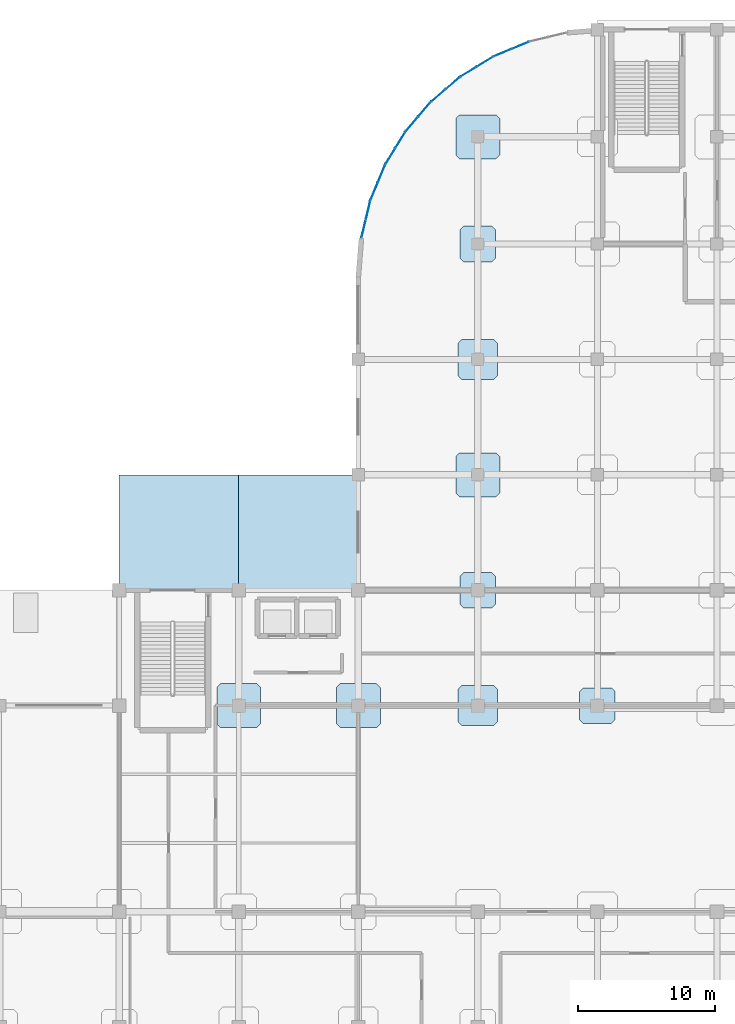
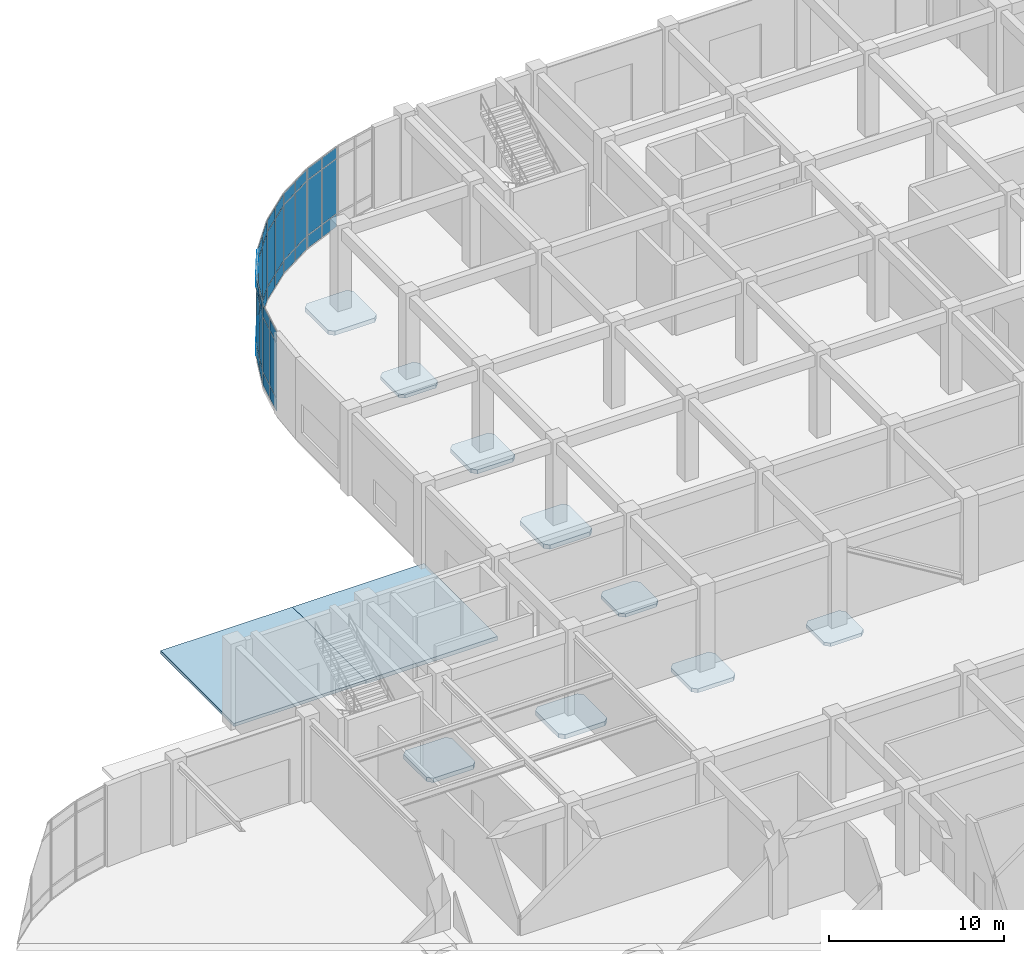
# One storey, part 53 of 82: 42 plates, 11 slabs, 7 elements without a shape of their own.
"""IFC4 building model written with IfcOpenShell, lengths in metres."""

from ifc_helpers import new_model, si_unit, derived_unit, direction, frame, origin, origin_2d, place, context, subcontext, project, spatial, polyline, rectangle, outline, extrude, material, layer, layer_set, type_object, element, aggregate, save


model = new_model("IFC4")

# Units and contexts
model_context = context("Model", 3, precision=1e-05, world=origin(), true_north=direction((0.0, 1.0)))
body_context = subcontext(model_context, "Body", "Model", "MODEL_VIEW")
ifc_project = project(units=[si_unit("LENGTHUNIT", "METRE"), si_unit("AREAUNIT", "SQUARE_METRE"), si_unit("VOLUMEUNIT", "CUBIC_METRE"), si_unit("PLANEANGLEUNIT", "RADIAN"), si_unit("MASSUNIT", "GRAM", prefix="KILO"), derived_unit("THERMALTRANSMITTANCEUNIT", [(si_unit("MASSUNIT", "GRAM", prefix="KILO"), 1), (si_unit("TIMEUNIT", "SECOND"), -3), (si_unit("THERMODYNAMICTEMPERATUREUNIT", "KELVIN"), -1)])], contexts=[model_context])

# Site, building, storey
site_placement = place(None, origin())
site = spatial("IfcSite", under=ifc_project, at=site_placement, CompositionType="ELEMENT")
building_placement = place(site_placement, origin())
building = spatial("IfcBuilding", under=site, at=building_placement, Name="Qinzheling Arcade Emporium", CompositionType="ELEMENT")
storey_placement = place(building_placement, origin())
storey = spatial("IfcBuildingStorey", under=building, at=storey_placement, Name="L01", CompositionType="ELEMENT", Elevation=0.0)

# Slabs
ifc_material_1 = material(Name="Concrete C40", Category="concrete")
ifc_layer_1 = layer(ifc_material_1, 0.235107421875, Name="Concrete C40", Category="concrete")
ifc_layer_set_1 = layer_set([ifc_layer_1], Name="Concrete C40")
slab_type_1 = type_object("IfcSlabType", Name="Column Head Drop Panel 2600x2600x235 C40", PredefinedType="USERDEFINED", material=ifc_layer_set_1)
slab_1_placement = place(storey_placement, frame((0.0, 0.0, -0.574951171875)))
element("IfcSlab", 1, at=slab_1_placement, inside=storey, type_object=slab_type_1, Name="Column Drop Panel DP-L01-8-J", ObjectType="DROP_PANEL", PredefinedType="USERDEFINED", context=body_context, shape_type="SweptSolid", body=[
    extrude(outline(polyline([(59.8798828125, 72.5), (61.919921875, 72.5), (62.199951171875, 72.780029296875), (62.199951171875, 74.820068359375), (61.919921875, 75.10009765625), (59.8798828125, 75.10009765625), (59.60009765625, 74.820068359375), (59.60009765625, 72.780029296875), (59.8798828125, 72.5)])), origin(), (0.0, 0.0, 1.0), 0.23486328125),
])
slab_2_placement = place(storey_placement, frame((0.0, 0.0, -0.574951171875)))
element("IfcSlab", 2, at=slab_2_placement, inside=storey, type_object=slab_type_1, Name="Column Drop Panel DP-L01-8-M", ObjectType="DROP_PANEL", PredefinedType="USERDEFINED", context=body_context, shape_type="SweptSolid", body=[
    extrude(outline(polyline([(59.8798828125, 97.699951171875), (61.919921875, 97.699951171875), (62.199951171875, 97.97998046875), (62.199951171875, 100.02001953125), (61.919921875, 100.300048828125), (59.8798828125, 100.300048828125), (59.60009765625, 100.02001953125), (59.60009765625, 97.97998046875), (59.8798828125, 97.699951171875)])), origin(), (0.0, 0.0, 1.0), 0.23486328125),
])
slab_3_placement = place(storey_placement, frame((0.0, 0.0, -0.574951171875)))
element("IfcSlab", 3, at=slab_3_placement, inside=storey, type_object=slab_type_1, Name="Column Drop Panel DP-L01-9-H", ObjectType="DROP_PANEL", PredefinedType="USERDEFINED", context=body_context, shape_type="SweptSolid", body=[
    extrude(outline(polyline([(68.580078125, 64.10009765625), (70.6201171875, 64.10009765625), (70.89990234375, 64.3798828125), (70.89990234375, 66.419921875), (70.6201171875, 66.699951171875), (68.580078125, 66.699951171875), (68.300048828125, 66.419921875), (68.300048828125, 64.3798828125), (68.580078125, 64.10009765625)])), origin(), (0.0, 0.0, 1.0), 0.23486328125),
])
ifc_layer_2 = layer(ifc_material_1, 0.27001953125, Name="Concrete C40", Category="concrete")
ifc_layer_set_2 = layer_set([ifc_layer_2], Name="Concrete C40")
slab_type_2 = type_object("IfcSlabType", Name="Column Head Drop Panel 2900x2900x270 C40", PredefinedType="USERDEFINED", material=ifc_layer_set_2)
slab_4_placement = place(storey_placement, frame((0.0, 0.0, -0.610107421875)))
element("IfcSlab", 4, at=slab_4_placement, inside=storey, type_object=slab_type_2, Name="Column Drop Panel DP-L01-8-H", ObjectType="DROP_PANEL", PredefinedType="USERDEFINED", context=body_context, shape_type="SweptSolid", body=[
    extrude(outline(polyline([(59.72998046875, 63.949951171875), (62.070068359375, 63.949951171875), (62.35009765625, 64.22998046875), (62.35009765625, 66.570068359375), (62.070068359375, 66.85009765625), (59.72998046875, 66.85009765625), (59.449951171875, 66.570068359375), (59.449951171875, 64.22998046875), (59.72998046875, 63.949951171875)])), origin(), (0.0, 0.0, 1.0), 0.27001953125),
])
slab_5_placement = place(storey_placement, frame((0.0, 0.0, -0.610107421875)))
element("IfcSlab", 5, at=slab_5_placement, inside=storey, type_object=slab_type_2, Name="Column Drop Panel DP-L01-8-L", ObjectType="DROP_PANEL", PredefinedType="USERDEFINED", context=body_context, shape_type="SweptSolid", body=[
    extrude(outline(polyline([(59.72998046875, 89.14990234375), (62.070068359375, 89.14990234375), (62.35009765625, 89.429931640625), (62.35009765625, 91.77001953125), (62.070068359375, 92.050048828125), (59.72998046875, 92.050048828125), (59.449951171875, 91.77001953125), (59.449951171875, 89.429931640625), (59.72998046875, 89.14990234375)])), origin(), (0.0, 0.0, 1.0), 0.27001953125),
])
ifc_layer_3 = layer(ifc_material_1, 0.300048828125, Name="Concrete C40", Category="concrete")
ifc_layer_set_3 = layer_set([ifc_layer_3], Name="Concrete C40")
slab_type_3 = type_object("IfcSlabType", Name="Column Head Drop Panel 3200x3200x300 C40", PredefinedType="USERDEFINED", material=ifc_layer_set_3)
slab_6_placement = place(storey_placement, frame((0.0, 0.0, -0.639892578125)))
element("IfcSlab", 6, at=slab_6_placement, inside=storey, type_object=slab_type_3, Name="Column Drop Panel DP-L01-6-H", ObjectType="DROP_PANEL", PredefinedType="USERDEFINED", context=body_context, shape_type="SweptSolid", body=[
    extrude(outline(polyline([(42.179931640625, 63.800048828125), (44.820068359375, 63.800048828125), (45.10009765625, 64.080078125), (45.10009765625, 66.719970703125), (44.820068359375, 67.0), (42.179931640625, 67.0), (41.89990234375, 66.719970703125), (41.89990234375, 64.080078125), (42.179931640625, 63.800048828125)])), origin(), (0.0, 0.0, 1.0), 0.2998046875),
])
slab_7_placement = place(storey_placement, frame((0.0, 0.0, -0.639892578125)))
element("IfcSlab", 7, at=slab_7_placement, inside=storey, type_object=slab_type_3, Name="Column Drop Panel DP-L01-7-H", ObjectType="DROP_PANEL", PredefinedType="USERDEFINED", context=body_context, shape_type="SweptSolid", body=[
    extrude(outline(polyline([(50.8798828125, 63.800048828125), (53.52001953125, 63.800048828125), (53.800048828125, 64.080078125), (53.800048828125, 66.719970703125), (53.52001953125, 67.0), (50.8798828125, 67.0), (50.60009765625, 66.719970703125), (50.60009765625, 64.080078125), (50.8798828125, 63.800048828125)])), origin(), (0.0, 0.0, 1.0), 0.2998046875),
])
slab_8_placement = place(storey_placement, frame((0.0, 0.0, -0.639892578125)))
element("IfcSlab", 8, at=slab_8_placement, inside=storey, type_object=slab_type_3, Name="Column Drop Panel DP-L01-8-K", ObjectType="DROP_PANEL", PredefinedType="USERDEFINED", context=body_context, shape_type="SweptSolid", body=[
    extrude(outline(polyline([(59.580078125, 80.60009765625), (62.219970703125, 80.60009765625), (62.5, 80.8798828125), (62.5, 83.52001953125), (62.219970703125, 83.800048828125), (59.580078125, 83.800048828125), (59.300048828125, 83.52001953125), (59.300048828125, 80.8798828125), (59.580078125, 80.60009765625)])), origin(), (0.0, 0.0, 1.0), 0.2998046875),
])
slab_9_placement = place(storey_placement, frame((0.0, 0.0, -0.639892578125)))
element("IfcSlab", 9, at=slab_9_placement, inside=storey, type_object=slab_type_3, Name="Column Drop Panel DP-L01-8-N", ObjectType="DROP_PANEL", PredefinedType="USERDEFINED", context=body_context, shape_type="SweptSolid", body=[
    extrude(outline(polyline([(59.580078125, 105.199951171875), (62.219970703125, 105.199951171875), (62.5, 105.47998046875), (62.5, 108.1201171875), (62.219970703125, 108.39990234375), (59.580078125, 108.39990234375), (59.300048828125, 108.1201171875), (59.300048828125, 105.47998046875), (59.580078125, 105.199951171875)])), origin(), (0.0, 0.0, 1.0), 0.2998046875),
])
ifc_layer_4 = layer(ifc_material_1, 0.219970703125, Name="Concrete C40", Category="concrete")
ifc_layer_set_4 = layer_set([ifc_layer_4], Name="Concrete C40")
slab_type_4 = type_object("IfcSlabType", Name="Exterior Entry Driveway Paving Slab 220 C40", PredefinedType="FLOOR", material=ifc_layer_set_4)
slab_10_placement = place(storey_placement, frame((0.0, 0.0, -0.219970703125)))
element("IfcSlab", 10, at=slab_10_placement, inside=storey, type_object=slab_type_4, Name="Arcade and Court Paving SLB-L01-COURT-N-ST03", PredefinedType="FLOOR", context=body_context, shape_type="SweptSolid", body=[
    extrude(outline(polyline([(43.5, 73.800048828125), (43.5, 82.199951171875), (34.800048828125, 82.199951171875), (34.800048828125, 73.800048828125), (43.5, 73.800048828125)])), origin(), (0.0, 0.0, 1.0), 0.219970703125),
])

# Curtain wall, plates
ifc_material_2 = material(Name="Anodised aluminium and solar-control double glazing", Category="aluminium")
ifc_layer_5 = layer(ifc_material_2, 0.159912109375, Name="Anodised aluminium and solar-control double glazing", Category="aluminium")
ifc_layer_set_5 = layer_set([ifc_layer_5], Name="Anodised aluminium and solar-control double glazing")
curtain_wall_type = type_object("IfcCurtainWallType", Name="Curved Ribbon Sales Curtain Wall", PredefinedType="NOTDEFINED", material=ifc_layer_set_5)
curtain_wall_1_placement = place(storey_placement, origin())
curtain_wall_1 = element("IfcCurtainWall", 11, at=curtain_wall_1_placement, inside=storey, type_object=curtain_wall_type, Name="Curtain Wall CW-L01-032", PredefinedType="NOTDEFINED")
ifc_material_3 = material(Name="Laminated solar-control double glazing", Category="glass")
ifc_layer_6 = layer(ifc_material_3, 0.02099609375, Name="Laminated solar-control double glazing", Category="glass")
ifc_layer_set_6 = layer_set([ifc_layer_6], Name="Laminated solar-control double glazing")
plate_type_1 = type_object("IfcPlateType", Name="Low-E Double Glazed Curtain Panel 21mm", PredefinedType="CURTAIN_PANEL", material=ifc_layer_set_6)
plate_1_placement = place(storey_placement, frame((60.23486328125, 111.538818359375, 0.06005859375), z_axis=(0.0, 0.0, 1.0), x_axis=(0.852580897222, 0.522595267575, 0.0)))
plate_1 = element("IfcPlate", 12, at=plate_1_placement, type_object=plate_type_1, Name="CW02 panel 1.1", PredefinedType="CURTAIN_PANEL", context=body_context, shape_type="SweptSolid", body=[
    extrude(rectangle(XDim=1.322265625, YDim=0.02099609375, at=origin_2d()), origin(), (0.0, 0.0, 1.0), 0.860107421875),
])
plate_2_placement = place(storey_placement, frame((60.23486328125, 111.538818359375, 0.97998046875), z_axis=(0.0, 0.0, 1.0), x_axis=(0.852580897222, 0.522595267575, 0.0)))
plate_2 = element("IfcPlate", 13, at=plate_2_placement, type_object=plate_type_1, Name="CW02 panel 1.2", PredefinedType="CURTAIN_PANEL", context=body_context, shape_type="SweptSolid", body=[
    extrude(rectangle(XDim=1.322265625, YDim=0.02099609375, at=origin_2d()), origin(), (0.0, 0.0, 1.0), 3.800048828125),
])
plate_3_placement = place(storey_placement, frame((60.23486328125, 111.538818359375, 4.83984375), z_axis=(0.0, 0.0, 1.0), x_axis=(0.852580897222, 0.522595267575, 0.0)))
plate_3 = element("IfcPlate", 14, at=plate_3_placement, type_object=plate_type_1, Name="CW02 panel 1.3", PredefinedType="CURTAIN_PANEL", context=body_context, shape_type="SweptSolid", body=[
    extrude(rectangle(XDim=1.322265625, YDim=0.02099609375, at=origin_2d()), origin(), (0.0, 0.0, 1.0), 0.760009765625),
])
plate_4_placement = place(storey_placement, frame((61.413330078125, 112.26123046875, 0.06005859375), z_axis=(0.0, 0.0, 1.0), x_axis=(0.852580897222, 0.522595267575, 0.0)))
plate_4 = element("IfcPlate", 15, at=plate_4_placement, type_object=plate_type_1, Name="CW02 panel 2.1", PredefinedType="CURTAIN_PANEL", context=body_context, shape_type="SweptSolid", body=[
    extrude(rectangle(XDim=1.322265625, YDim=0.02099609375, at=origin_2d()), origin(), (0.0, 0.0, 1.0), 0.860107421875),
])
plate_5_placement = place(storey_placement, frame((61.413330078125, 112.26123046875, 0.97998046875), z_axis=(0.0, 0.0, 1.0), x_axis=(0.852580897222, 0.522595267575, 0.0)))
plate_5 = element("IfcPlate", 16, at=plate_5_placement, type_object=plate_type_1, Name="CW02 panel 2.2", PredefinedType="CURTAIN_PANEL", context=body_context, shape_type="SweptSolid", body=[
    extrude(rectangle(XDim=1.322265625, YDim=0.02099609375, at=origin_2d()), origin(), (0.0, 0.0, 1.0), 3.800048828125),
])
plate_6_placement = place(storey_placement, frame((61.413330078125, 112.26123046875, 4.83984375), z_axis=(0.0, 0.0, 1.0), x_axis=(0.852580897222, 0.522595267575, 0.0)))
plate_6 = element("IfcPlate", 17, at=plate_6_placement, type_object=plate_type_1, Name="CW02 panel 2.3", PredefinedType="CURTAIN_PANEL", context=body_context, shape_type="SweptSolid", body=[
    extrude(rectangle(XDim=1.322265625, YDim=0.02099609375, at=origin_2d()), origin(), (0.0, 0.0, 1.0), 0.760009765625),
])
aggregate(curtain_wall_1, [plate_1, plate_2, plate_3, plate_4, plate_5, plate_6])

curtain_wall_2_placement = place(storey_placement, origin())
curtain_wall_2 = element("IfcCurtainWall", 18, at=curtain_wall_2_placement, inside=storey, type_object=curtain_wall_type, Name="Curtain Wall CW-L01-033", PredefinedType="NOTDEFINED")
ifc_layer_7 = layer(ifc_material_3, 0.02197265625, Name="Laminated solar-control double glazing", Category="glass")
ifc_layer_set_7 = layer_set([ifc_layer_7], Name="Laminated solar-control double glazing")
plate_type_2 = type_object("IfcPlateType", Name="Low-E Double Glazed Curtain Panel 22mm", PredefinedType="CURTAIN_PANEL", material=ifc_layer_set_7)
plate_7_placement = place(storey_placement, frame((62.6943359375, 112.9140625, 0.06005859375), z_axis=(0.0, 0.0, 1.0), x_axis=(0.923891721508, 0.382654004198, 0.0)))
plate_7 = element("IfcPlate", 19, at=plate_7_placement, type_object=plate_type_2, Name="CW02 panel 1.1", PredefinedType="CURTAIN_PANEL", context=body_context, shape_type="SweptSolid", body=[
    extrude(rectangle(XDim=1.322509765625, YDim=0.02197265625, at=origin_2d()), origin(), (0.0, 0.0, 1.0), 0.860107421875),
])
plate_8_placement = place(storey_placement, frame((62.6943359375, 112.9140625, 0.97998046875), z_axis=(0.0, 0.0, 1.0), x_axis=(0.923891721508, 0.382654004198, 0.0)))
plate_8 = element("IfcPlate", 20, at=plate_8_placement, type_object=plate_type_2, Name="CW02 panel 1.2", PredefinedType="CURTAIN_PANEL", context=body_context, shape_type="SweptSolid", body=[
    extrude(rectangle(XDim=1.322509765625, YDim=0.02197265625, at=origin_2d()), origin(), (0.0, 0.0, 1.0), 3.800048828125),
])
plate_9_placement = place(storey_placement, frame((62.6943359375, 112.9140625, 4.83984375), z_axis=(0.0, 0.0, 1.0), x_axis=(0.923891721508, 0.382654004198, 0.0)))
plate_9 = element("IfcPlate", 21, at=plate_9_placement, type_object=plate_type_2, Name="CW02 panel 1.3", PredefinedType="CURTAIN_PANEL", context=body_context, shape_type="SweptSolid", body=[
    extrude(rectangle(XDim=1.322509765625, YDim=0.02197265625, at=origin_2d()), origin(), (0.0, 0.0, 1.0), 0.760009765625),
])
plate_10_placement = place(storey_placement, frame((63.9716796875, 113.443115234375, 0.06005859375), z_axis=(0.0, 0.0, 1.0), x_axis=(0.923891721508, 0.382654004198, 0.0)))
plate_10 = element("IfcPlate", 22, at=plate_10_placement, type_object=plate_type_2, Name="CW02 panel 2.1", PredefinedType="CURTAIN_PANEL", context=body_context, shape_type="SweptSolid", body=[
    extrude(rectangle(XDim=1.322509765625, YDim=0.02197265625, at=origin_2d()), origin(), (0.0, 0.0, 1.0), 0.860107421875),
])
plate_11_placement = place(storey_placement, frame((63.9716796875, 113.443115234375, 0.97998046875), z_axis=(0.0, 0.0, 1.0), x_axis=(0.923891721508, 0.382654004198, 0.0)))
plate_11 = element("IfcPlate", 23, at=plate_11_placement, type_object=plate_type_2, Name="CW02 panel 2.2", PredefinedType="CURTAIN_PANEL", context=body_context, shape_type="SweptSolid", body=[
    extrude(rectangle(XDim=1.322509765625, YDim=0.02197265625, at=origin_2d()), origin(), (0.0, 0.0, 1.0), 3.800048828125),
])
plate_12_placement = place(storey_placement, frame((63.9716796875, 113.443115234375, 4.83984375), z_axis=(0.0, 0.0, 1.0), x_axis=(0.923891721508, 0.382654004198, 0.0)))
plate_12 = element("IfcPlate", 24, at=plate_12_placement, type_object=plate_type_2, Name="CW02 panel 2.3", PredefinedType="CURTAIN_PANEL", context=body_context, shape_type="SweptSolid", body=[
    extrude(rectangle(XDim=1.322509765625, YDim=0.02197265625, at=origin_2d()), origin(), (0.0, 0.0, 1.0), 0.760009765625),
])
aggregate(curtain_wall_2, [plate_7, plate_8, plate_9, plate_10, plate_11, plate_12])

curtain_wall_3_placement = place(storey_placement, origin())
curtain_wall_3 = element("IfcCurtainWall", 25, at=curtain_wall_3_placement, inside=storey, type_object=curtain_wall_type, Name="Curtain Wall CW-L01-027", PredefinedType="NOTDEFINED")
ifc_layer_8 = layer(ifc_material_3, 0.033935546875, Name="Laminated solar-control double glazing", Category="glass")
ifc_layer_set_8 = layer_set([ifc_layer_8], Name="Laminated solar-control double glazing")
plate_type_3 = type_object("IfcPlateType", Name="Low-E Double Glazed Curtain Panel 34mm", PredefinedType="CURTAIN_PANEL", material=ifc_layer_set_8)
plate_13_placement = place(storey_placement, frame((52.59033203125, 100.1171875, 0.06005859375), z_axis=(0.0, 0.0, 1.0), x_axis=(0.233359559423, 0.972390516216, 0.0)))
plate_13 = element("IfcPlate", 26, at=plate_13_placement, type_object=plate_type_3, Name="CW02 panel 1.1", PredefinedType="CURTAIN_PANEL", context=body_context, shape_type="SweptSolid", body=[
    extrude(rectangle(XDim=1.322021484375, YDim=0.033935546875, at=origin_2d()), origin(), (0.0, 0.0, 1.0), 0.860107421875),
])
plate_14_placement = place(storey_placement, frame((52.59033203125, 100.1171875, 0.97998046875), z_axis=(0.0, 0.0, 1.0), x_axis=(0.233359559423, 0.972390516216, 0.0)))
plate_14 = element("IfcPlate", 27, at=plate_14_placement, type_object=plate_type_3, Name="CW02 panel 1.2", PredefinedType="CURTAIN_PANEL", context=body_context, shape_type="SweptSolid", body=[
    extrude(rectangle(XDim=1.322021484375, YDim=0.033935546875, at=origin_2d()), origin(), (0.0, 0.0, 1.0), 3.800048828125),
])
plate_15_placement = place(storey_placement, frame((52.59033203125, 100.1171875, 4.83984375), z_axis=(0.0, 0.0, 1.0), x_axis=(0.233359559423, 0.972390516216, 0.0)))
plate_15 = element("IfcPlate", 28, at=plate_15_placement, type_object=plate_type_3, Name="CW02 panel 1.3", PredefinedType="CURTAIN_PANEL", context=body_context, shape_type="SweptSolid", body=[
    extrude(rectangle(XDim=1.322021484375, YDim=0.033935546875, at=origin_2d()), origin(), (0.0, 0.0, 1.0), 0.760009765625),
])
plate_16_placement = place(storey_placement, frame((52.912841796875, 101.4609375, 0.06005859375), z_axis=(0.0, 0.0, 1.0), x_axis=(0.233359559423, 0.972390516216, 0.0)))
plate_16 = element("IfcPlate", 29, at=plate_16_placement, type_object=plate_type_3, Name="CW02 panel 2.1", PredefinedType="CURTAIN_PANEL", context=body_context, shape_type="SweptSolid", body=[
    extrude(rectangle(XDim=1.322021484375, YDim=0.033935546875, at=origin_2d()), origin(), (0.0, 0.0, 1.0), 0.860107421875),
])
plate_17_placement = place(storey_placement, frame((52.912841796875, 101.4609375, 0.97998046875), z_axis=(0.0, 0.0, 1.0), x_axis=(0.233359559423, 0.972390516216, 0.0)))
plate_17 = element("IfcPlate", 30, at=plate_17_placement, type_object=plate_type_3, Name="CW02 panel 2.2", PredefinedType="CURTAIN_PANEL", context=body_context, shape_type="SweptSolid", body=[
    extrude(rectangle(XDim=1.322021484375, YDim=0.033935546875, at=origin_2d()), origin(), (0.0, 0.0, 1.0), 3.800048828125),
])
plate_18_placement = place(storey_placement, frame((52.912841796875, 101.4609375, 4.83984375), z_axis=(0.0, 0.0, 1.0), x_axis=(0.233359559423, 0.972390516216, 0.0)))
plate_18 = element("IfcPlate", 31, at=plate_18_placement, type_object=plate_type_3, Name="CW02 panel 2.3", PredefinedType="CURTAIN_PANEL", context=body_context, shape_type="SweptSolid", body=[
    extrude(rectangle(XDim=1.322021484375, YDim=0.033935546875, at=origin_2d()), origin(), (0.0, 0.0, 1.0), 0.760009765625),
])
aggregate(curtain_wall_3, [plate_13, plate_14, plate_15, plate_16, plate_17, plate_18])

curtain_wall_4_placement = place(storey_placement, origin())
curtain_wall_4 = element("IfcCurtainWall", 32, at=curtain_wall_4_placement, inside=storey, type_object=curtain_wall_type, Name="Curtain Wall CW-L01-028", PredefinedType="NOTDEFINED")
ifc_layer_9 = layer(ifc_material_3, 0.035888671875, Name="Laminated solar-control double glazing", Category="glass")
ifc_layer_set_9 = layer_set([ifc_layer_9], Name="Laminated solar-control double glazing")
plate_type_4 = type_object("IfcPlateType", Name="Low-E Double Glazed Curtain Panel 36mm", PredefinedType="CURTAIN_PANEL", material=ifc_layer_set_9)
plate_19_placement = place(storey_placement, frame((53.35693359375, 102.828369140625, 0.06005859375), z_axis=(0.0, 0.0, 1.0), x_axis=(0.382654004198, 0.923891721508, 0.0)))
plate_19 = element("IfcPlate", 33, at=plate_19_placement, type_object=plate_type_4, Name="CW02 panel 1.1", PredefinedType="CURTAIN_PANEL", context=body_context, shape_type="SweptSolid", body=[
    extrude(rectangle(XDim=1.322509765625, YDim=0.035888671875, at=origin_2d()), origin(), (0.0, 0.0, 1.0), 0.860107421875),
])
plate_20_placement = place(storey_placement, frame((53.35693359375, 102.828369140625, 0.97998046875), z_axis=(0.0, 0.0, 1.0), x_axis=(0.382654004198, 0.923891721508, 0.0)))
plate_20 = element("IfcPlate", 34, at=plate_20_placement, type_object=plate_type_4, Name="CW02 panel 1.2", PredefinedType="CURTAIN_PANEL", context=body_context, shape_type="SweptSolid", body=[
    extrude(rectangle(XDim=1.322509765625, YDim=0.035888671875, at=origin_2d()), origin(), (0.0, 0.0, 1.0), 3.800048828125),
])
plate_21_placement = place(storey_placement, frame((53.35693359375, 102.828369140625, 4.83984375), z_axis=(0.0, 0.0, 1.0), x_axis=(0.382654004198, 0.923891721508, 0.0)))
plate_21 = element("IfcPlate", 35, at=plate_21_placement, type_object=plate_type_4, Name="CW02 panel 1.3", PredefinedType="CURTAIN_PANEL", context=body_context, shape_type="SweptSolid", body=[
    extrude(rectangle(XDim=1.322509765625, YDim=0.035888671875, at=origin_2d()), origin(), (0.0, 0.0, 1.0), 0.760009765625),
])
plate_22_placement = place(storey_placement, frame((53.885986328125, 104.105712890625, 0.06005859375), z_axis=(0.0, 0.0, 1.0), x_axis=(0.382654004198, 0.923891721508, 0.0)))
plate_22 = element("IfcPlate", 36, at=plate_22_placement, type_object=plate_type_4, Name="CW02 panel 2.1", PredefinedType="CURTAIN_PANEL", context=body_context, shape_type="SweptSolid", body=[
    extrude(rectangle(XDim=1.322509765625, YDim=0.035888671875, at=origin_2d()), origin(), (0.0, 0.0, 1.0), 0.860107421875),
])
plate_23_placement = place(storey_placement, frame((53.885986328125, 104.105712890625, 0.97998046875), z_axis=(0.0, 0.0, 1.0), x_axis=(0.382654004198, 0.923891721508, 0.0)))
plate_23 = element("IfcPlate", 37, at=plate_23_placement, type_object=plate_type_4, Name="CW02 panel 2.2", PredefinedType="CURTAIN_PANEL", context=body_context, shape_type="SweptSolid", body=[
    extrude(rectangle(XDim=1.322509765625, YDim=0.035888671875, at=origin_2d()), origin(), (0.0, 0.0, 1.0), 3.800048828125),
])
plate_24_placement = place(storey_placement, frame((53.885986328125, 104.105712890625, 4.83984375), z_axis=(0.0, 0.0, 1.0), x_axis=(0.382654004198, 0.923891721508, 0.0)))
plate_24 = element("IfcPlate", 38, at=plate_24_placement, type_object=plate_type_4, Name="CW02 panel 2.3", PredefinedType="CURTAIN_PANEL", context=body_context, shape_type="SweptSolid", body=[
    extrude(rectangle(XDim=1.322509765625, YDim=0.035888671875, at=origin_2d()), origin(), (0.0, 0.0, 1.0), 0.760009765625),
])
aggregate(curtain_wall_4, [plate_19, plate_20, plate_21, plate_22, plate_23, plate_24])

curtain_wall_5_placement = place(storey_placement, origin())
curtain_wall_5 = element("IfcCurtainWall", 39, at=curtain_wall_5_placement, inside=storey, type_object=curtain_wall_type, Name="Curtain Wall CW-L01-029", PredefinedType="NOTDEFINED")
ifc_layer_10 = layer(ifc_material_3, 0.0380859375, Name="Laminated solar-control double glazing", Category="glass")
ifc_layer_set_10 = layer_set([ifc_layer_10], Name="Laminated solar-control double glazing")
plate_type_5 = type_object("IfcPlateType", Name="Low-E Double Glazed Curtain Panel 38mm", PredefinedType="CURTAIN_PANEL", material=ifc_layer_set_10)
plate_25_placement = place(storey_placement, frame((54.538818359375, 105.38671875, 0.06005859375), z_axis=(0.0, 0.0, 1.0), x_axis=(0.522595267575, 0.852580897222, 0.0)))
plate_25 = element("IfcPlate", 40, at=plate_25_placement, type_object=plate_type_5, Name="CW02 panel 1.1", PredefinedType="CURTAIN_PANEL", context=body_context, shape_type="SweptSolid", body=[
    extrude(rectangle(XDim=1.322265625, YDim=0.0380859375, at=origin_2d()), origin(), (0.0, 0.0, 1.0), 0.860107421875),
])
plate_26_placement = place(storey_placement, frame((54.538818359375, 105.38671875, 0.97998046875), z_axis=(0.0, 0.0, 1.0), x_axis=(0.522595267575, 0.852580897222, 0.0)))
plate_26 = element("IfcPlate", 41, at=plate_26_placement, type_object=plate_type_5, Name="CW02 panel 1.2", PredefinedType="CURTAIN_PANEL", context=body_context, shape_type="SweptSolid", body=[
    extrude(rectangle(XDim=1.322265625, YDim=0.0380859375, at=origin_2d()), origin(), (0.0, 0.0, 1.0), 3.800048828125),
])
plate_27_placement = place(storey_placement, frame((54.538818359375, 105.38671875, 4.83984375), z_axis=(0.0, 0.0, 1.0), x_axis=(0.522595267575, 0.852580897222, 0.0)))
plate_27 = element("IfcPlate", 42, at=plate_27_placement, type_object=plate_type_5, Name="CW02 panel 1.3", PredefinedType="CURTAIN_PANEL", context=body_context, shape_type="SweptSolid", body=[
    extrude(rectangle(XDim=1.322265625, YDim=0.0380859375, at=origin_2d()), origin(), (0.0, 0.0, 1.0), 0.760009765625),
])
plate_28_placement = place(storey_placement, frame((55.26123046875, 106.565185546875, 0.06005859375), z_axis=(0.0, 0.0, 1.0), x_axis=(0.522595267575, 0.852580897222, 0.0)))
plate_28 = element("IfcPlate", 43, at=plate_28_placement, type_object=plate_type_5, Name="CW02 panel 2.1", PredefinedType="CURTAIN_PANEL", context=body_context, shape_type="SweptSolid", body=[
    extrude(rectangle(XDim=1.322265625, YDim=0.0380859375, at=origin_2d()), origin(), (0.0, 0.0, 1.0), 0.860107421875),
])
plate_29_placement = place(storey_placement, frame((55.26123046875, 106.565185546875, 0.97998046875), z_axis=(0.0, 0.0, 1.0), x_axis=(0.522595267575, 0.852580897222, 0.0)))
plate_29 = element("IfcPlate", 44, at=plate_29_placement, type_object=plate_type_5, Name="CW02 panel 2.2", PredefinedType="CURTAIN_PANEL", context=body_context, shape_type="SweptSolid", body=[
    extrude(rectangle(XDim=1.322265625, YDim=0.0380859375, at=origin_2d()), origin(), (0.0, 0.0, 1.0), 3.800048828125),
])
plate_30_placement = place(storey_placement, frame((55.26123046875, 106.565185546875, 4.83984375), z_axis=(0.0, 0.0, 1.0), x_axis=(0.522595267575, 0.852580897222, 0.0)))
plate_30 = element("IfcPlate", 45, at=plate_30_placement, type_object=plate_type_5, Name="CW02 panel 2.3", PredefinedType="CURTAIN_PANEL", context=body_context, shape_type="SweptSolid", body=[
    extrude(rectangle(XDim=1.322265625, YDim=0.0380859375, at=origin_2d()), origin(), (0.0, 0.0, 1.0), 0.760009765625),
])
aggregate(curtain_wall_5, [plate_25, plate_26, plate_27, plate_28, plate_29, plate_30])

curtain_wall_6_placement = place(storey_placement, origin())
curtain_wall_6 = element("IfcCurtainWall", 46, at=curtain_wall_6_placement, inside=storey, type_object=curtain_wall_type, Name="Curtain Wall CW-L01-030", PredefinedType="NOTDEFINED")
ifc_layer_11 = layer(ifc_material_3, 0.0400390625, Name="Laminated solar-control double glazing", Category="glass")
ifc_layer_set_11 = layer_set([ifc_layer_11], Name="Laminated solar-control double glazing")
plate_type_6 = type_object("IfcPlateType", Name="Low-E Double Glazed Curtain Panel 40mm", PredefinedType="CURTAIN_PANEL", material=ifc_layer_set_11)
plate_31_placement = place(storey_placement, frame((56.106201171875, 107.728515625, 0.06005859375), z_axis=(0.0, 0.0, 1.0), x_axis=(0.64933231048, 0.760504799831, 0.0)))
plate_31 = element("IfcPlate", 47, at=plate_31_placement, type_object=plate_type_6, Name="CW02 panel 1.1", PredefinedType="CURTAIN_PANEL", context=body_context, shape_type="SweptSolid", body=[
    extrude(rectangle(XDim=1.322265625, YDim=0.0400390625, at=origin_2d()), origin(), (0.0, 0.0, 1.0), 0.860107421875),
])
plate_32_placement = place(storey_placement, frame((56.106201171875, 107.728515625, 0.97998046875), z_axis=(0.0, 0.0, 1.0), x_axis=(0.64933231048, 0.760504799831, 0.0)))
plate_32 = element("IfcPlate", 48, at=plate_32_placement, type_object=plate_type_6, Name="CW02 panel 1.2", PredefinedType="CURTAIN_PANEL", context=body_context, shape_type="SweptSolid", body=[
    extrude(rectangle(XDim=1.322265625, YDim=0.0400390625, at=origin_2d()), origin(), (0.0, 0.0, 1.0), 3.800048828125),
])
plate_33_placement = place(storey_placement, frame((56.106201171875, 107.728515625, 4.83984375), z_axis=(0.0, 0.0, 1.0), x_axis=(0.64933231048, 0.760504799831, 0.0)))
plate_33 = element("IfcPlate", 49, at=plate_33_placement, type_object=plate_type_6, Name="CW02 panel 1.3", PredefinedType="CURTAIN_PANEL", context=body_context, shape_type="SweptSolid", body=[
    extrude(rectangle(XDim=1.322265625, YDim=0.0400390625, at=origin_2d()), origin(), (0.0, 0.0, 1.0), 0.760009765625),
])
plate_34_placement = place(storey_placement, frame((57.003662109375, 108.779541015625, 0.06005859375), z_axis=(0.0, 0.0, 1.0), x_axis=(0.64933231048, 0.760504799831, 0.0)))
plate_34 = element("IfcPlate", 50, at=plate_34_placement, type_object=plate_type_6, Name="CW02 panel 2.1", PredefinedType="CURTAIN_PANEL", context=body_context, shape_type="SweptSolid", body=[
    extrude(rectangle(XDim=1.322265625, YDim=0.0400390625, at=origin_2d()), origin(), (0.0, 0.0, 1.0), 0.860107421875),
])
plate_35_placement = place(storey_placement, frame((57.003662109375, 108.779541015625, 0.97998046875), z_axis=(0.0, 0.0, 1.0), x_axis=(0.64933231048, 0.760504799831, 0.0)))
plate_35 = element("IfcPlate", 51, at=plate_35_placement, type_object=plate_type_6, Name="CW02 panel 2.2", PredefinedType="CURTAIN_PANEL", context=body_context, shape_type="SweptSolid", body=[
    extrude(rectangle(XDim=1.322265625, YDim=0.0400390625, at=origin_2d()), origin(), (0.0, 0.0, 1.0), 3.800048828125),
])
plate_36_placement = place(storey_placement, frame((57.003662109375, 108.779541015625, 4.83984375), z_axis=(0.0, 0.0, 1.0), x_axis=(0.64933231048, 0.760504799831, 0.0)))
plate_36 = element("IfcPlate", 52, at=plate_36_placement, type_object=plate_type_6, Name="CW02 panel 2.3", PredefinedType="CURTAIN_PANEL", context=body_context, shape_type="SweptSolid", body=[
    extrude(rectangle(XDim=1.322265625, YDim=0.0400390625, at=origin_2d()), origin(), (0.0, 0.0, 1.0), 0.760009765625),
])
aggregate(curtain_wall_6, [plate_31, plate_32, plate_33, plate_34, plate_35, plate_36])

curtain_wall_7_placement = place(storey_placement, origin())
curtain_wall_7 = element("IfcCurtainWall", 53, at=curtain_wall_7_placement, inside=storey, type_object=curtain_wall_type, Name="Curtain Wall CW-L01-031", PredefinedType="NOTDEFINED")
ifc_layer_12 = layer(ifc_material_3, 0.0419921875, Name="Laminated solar-control double glazing", Category="glass")
ifc_layer_set_12 = layer_set([ifc_layer_12], Name="Laminated solar-control double glazing")
plate_type_7 = type_object("IfcPlateType", Name="Low-E Double Glazed Curtain Panel 42mm", PredefinedType="CURTAIN_PANEL", material=ifc_layer_set_12)
plate_37_placement = place(storey_placement, frame((58.0205078125, 109.796142578125, 0.06005859375), z_axis=(0.0, 0.0, 1.0), x_axis=(0.760504799831, 0.64933231048, 0.0)))
plate_37 = element("IfcPlate", 54, at=plate_37_placement, type_object=plate_type_7, Name="CW02 panel 1.1", PredefinedType="CURTAIN_PANEL", context=body_context, shape_type="SweptSolid", body=[
    extrude(rectangle(XDim=1.322265625, YDim=0.0419921875, at=origin_2d()), origin(), (0.0, 0.0, 1.0), 0.860107421875),
])
plate_38_placement = place(storey_placement, frame((58.0205078125, 109.796142578125, 0.97998046875), z_axis=(0.0, 0.0, 1.0), x_axis=(0.760504799831, 0.64933231048, 0.0)))
plate_38 = element("IfcPlate", 55, at=plate_38_placement, type_object=plate_type_7, Name="CW02 panel 1.2", PredefinedType="CURTAIN_PANEL", context=body_context, shape_type="SweptSolid", body=[
    extrude(rectangle(XDim=1.322265625, YDim=0.0419921875, at=origin_2d()), origin(), (0.0, 0.0, 1.0), 3.800048828125),
])
plate_39_placement = place(storey_placement, frame((58.0205078125, 109.796142578125, 4.83984375), z_axis=(0.0, 0.0, 1.0), x_axis=(0.760504799831, 0.64933231048, 0.0)))
plate_39 = element("IfcPlate", 56, at=plate_39_placement, type_object=plate_type_7, Name="CW02 panel 1.3", PredefinedType="CURTAIN_PANEL", context=body_context, shape_type="SweptSolid", body=[
    extrude(rectangle(XDim=1.322265625, YDim=0.0419921875, at=origin_2d()), origin(), (0.0, 0.0, 1.0), 0.760009765625),
])
plate_40_placement = place(storey_placement, frame((59.071533203125, 110.69384765625, 0.06005859375), z_axis=(0.0, 0.0, 1.0), x_axis=(0.760504799831, 0.64933231048, 0.0)))
plate_40 = element("IfcPlate", 57, at=plate_40_placement, type_object=plate_type_7, Name="CW02 panel 2.1", PredefinedType="CURTAIN_PANEL", context=body_context, shape_type="SweptSolid", body=[
    extrude(rectangle(XDim=1.322265625, YDim=0.0419921875, at=origin_2d()), origin(), (0.0, 0.0, 1.0), 0.860107421875),
])
plate_41_placement = place(storey_placement, frame((59.071533203125, 110.69384765625, 0.97998046875), z_axis=(0.0, 0.0, 1.0), x_axis=(0.760504799831, 0.64933231048, 0.0)))
plate_41 = element("IfcPlate", 58, at=plate_41_placement, type_object=plate_type_7, Name="CW02 panel 2.2", PredefinedType="CURTAIN_PANEL", context=body_context, shape_type="SweptSolid", body=[
    extrude(rectangle(XDim=1.322265625, YDim=0.0419921875, at=origin_2d()), origin(), (0.0, 0.0, 1.0), 3.800048828125),
])
plate_42_placement = place(storey_placement, frame((59.071533203125, 110.69384765625, 4.83984375), z_axis=(0.0, 0.0, 1.0), x_axis=(0.760504799831, 0.64933231048, 0.0)))
plate_42 = element("IfcPlate", 59, at=plate_42_placement, type_object=plate_type_7, Name="CW02 panel 2.3", PredefinedType="CURTAIN_PANEL", context=body_context, shape_type="SweptSolid", body=[
    extrude(rectangle(XDim=1.322265625, YDim=0.0419921875, at=origin_2d()), origin(), (0.0, 0.0, 1.0), 0.760009765625),
])
aggregate(curtain_wall_7, [plate_37, plate_38, plate_39, plate_40, plate_41, plate_42])

# Slab
ifc_layer_13 = layer(ifc_material_1, 0.27490234375, Name="Concrete C40", Category="concrete")
ifc_layer_set_13 = layer_set([ifc_layer_13], Name="Concrete C40")
slab_type_5 = type_object("IfcSlabType", Name="Planted Court Terrace Slab 275 C40", PredefinedType="FLOOR", material=ifc_layer_set_13)
slab_11_placement = place(storey_placement, frame((0.0, 0.0, -0.27490234375)))
element("IfcSlab", 60, at=slab_11_placement, inside=storey, type_object=slab_type_5, Name="Stepped Granite Plinth SLB-L01-PLINTH-NORTH-360", PredefinedType="FLOOR", context=body_context, shape_type="SweptSolid", body=[
    extrude(outline(polyline([(52.199951171875, 73.800048828125), (52.199951171875, 82.199951171875), (43.5, 82.199951171875), (43.5, 73.800048828125), (52.199951171875, 73.800048828125)])), origin(), (0.0, 0.0, 1.0), 0.27490234375),
])

save(model, "model.ifc")
